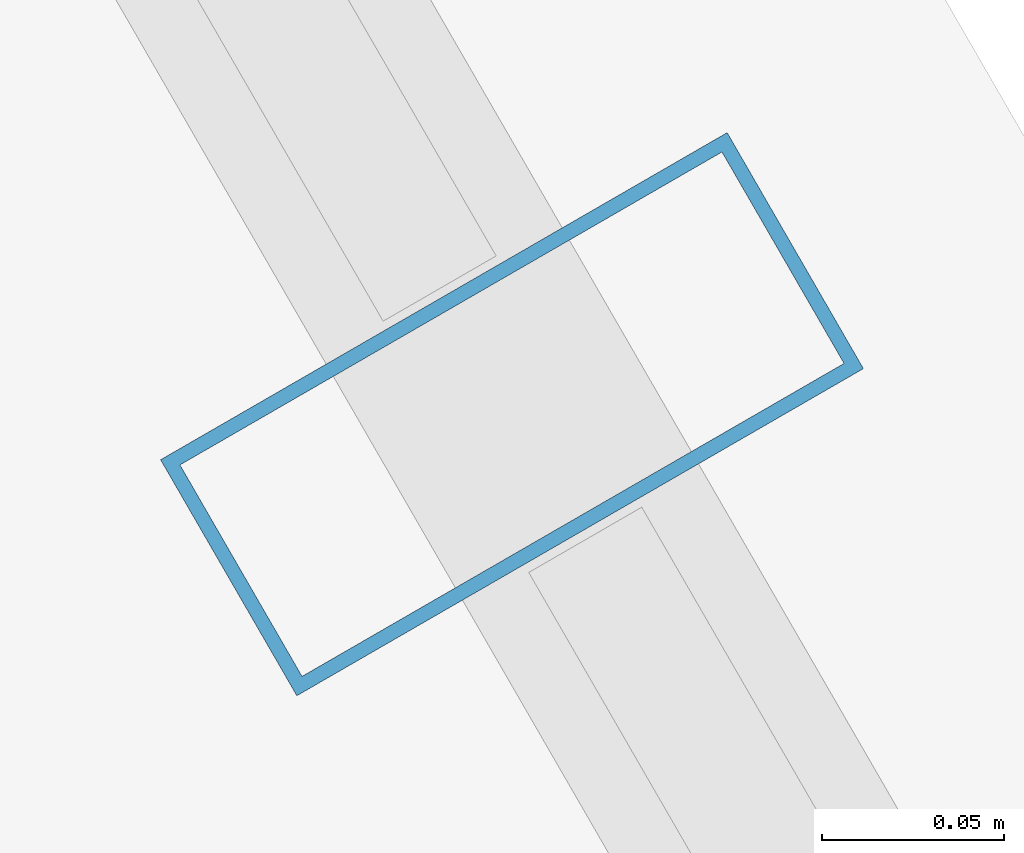
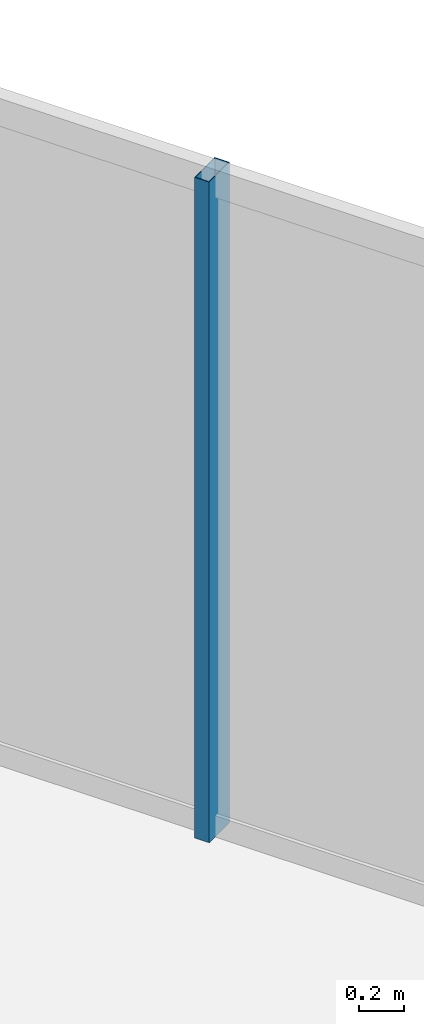
# One storey, part 22 of 32: 1 member, 1 element without a shape of its own.
"""IFC4 building model written with IfcOpenShell, lengths in metres."""

import ifcopenshell
import ifcopenshell.guid

model = None  # the IFC model being written
_history = None  # IfcOwnerHistory: only IFC2X3 demands one
_inside = {}  # id of a spatial element -> (the spatial element, [elements in it])
_under = {}  # id of a project, library or spatial element -> (it, [spatial elements below it])
_declared = {}  # id of a project -> (the project, [libraries it declares])
_typed = {}  # id of a type object -> (the type object, [elements of that type])
_made_of = {}  # id of a material, layer set ... -> (it, [elements and type objects made of it])


def new_model(schema):
    """Start an empty IFC model of exactly this schema.

    Asked for "IFC4X3", IfcOpenShell would pick the latest addendum, in which some entities
    have other attributes; the version numbers below select the first issue.
    IFC2X3 requires an IfcOwnerHistory on every rooted entity: one is made here for all.
    """
    global model, _history
    if schema == "IFC4X3":
        model = ifcopenshell.file(schema_version=(4, 3, 0, 0))
    else:
        model = ifcopenshell.file(schema=schema)
    _inside.clear()
    _under.clear()
    _declared.clear()
    _typed.clear()
    _made_of.clear()
    _history = None
    if model.schema == "IFC2X3":
        org = make("IfcOrganization", Name="unknown")
        user = make(
            "IfcPersonAndOrganization",
            ThePerson=make("IfcPerson", FamilyName="unknown"),
            TheOrganization=org,
        )
        app = make(
            "IfcApplication",
            ApplicationDeveloper=org,
            Version="unknown",
            ApplicationFullName="unknown",
            ApplicationIdentifier="unknown",
        )
        _history = make(
            "IfcOwnerHistory",
            OwningUser=user,
            OwningApplication=app,
            ChangeAction="ADDED",
            CreationDate=0,
        )
    return model


def make(cls, **values):
    """One entity of the class cls with the attributes given. An attribute that is None is left unset."""
    return model.create_entity(
        cls, **{name: value for name, value in values.items() if value is not None}
    )


def rooted(cls, **values):
    """An entity with a GlobalId (a new one), such as an element, a storey or a relation."""
    return make(cls, GlobalId=ifcopenshell.guid.new(), OwnerHistory=_history, **values)


def si_unit(unit_type, name, prefix=None):
    """IfcSIUnit, for example si_unit("LENGTHUNIT", "METRE", prefix="MILLI")."""
    return make("IfcSIUnit", UnitType=unit_type, Prefix=prefix, Name=name)


def assignment(units):
    """IfcUnitAssignment: the units of a project."""
    return None if units is None else make("IfcUnitAssignment", Units=units)


def point(xyz):
    """IfcCartesianPoint."""
    return None if xyz is None else make("IfcCartesianPoint", Coordinates=xyz)


def direction(xyz):
    """IfcDirection."""
    return None if xyz is None else make("IfcDirection", DirectionRatios=xyz)


def frame(location, z_axis=None, x_axis=None):
    """IfcAxis2Placement3D, a coordinate frame: its origin and axes. An axis left out is left unset."""
    return make(
        "IfcAxis2Placement3D",
        Location=point(location),
        Axis=direction(z_axis),
        RefDirection=direction(x_axis),
    )


def frame_2d(location, x_axis=None):
    """IfcAxis2Placement2D, a coordinate frame in the plane: its origin and x axis."""
    return make(
        "IfcAxis2Placement2D", Location=point(location), RefDirection=direction(x_axis)
    )


def origin():
    """The frame at (0, 0, 0) with its axes left unset."""
    return frame((0.0, 0.0, 0.0))


def origin_2d():
    """The frame at (0, 0) in the plane with its x axis left unset."""
    return frame_2d((0.0, 0.0))


def place(relative_to, where):
    """IfcLocalPlacement: puts the frame where relative to a parent placement (None: the world)."""
    return make(
        "IfcLocalPlacement", PlacementRelTo=relative_to, RelativePlacement=where
    )


def context(
    kind, dimensions, precision=None, world=None, true_north=None, identifier=None
):
    """IfcGeometricRepresentationContext, for example the 3D "Model" context."""
    return make(
        "IfcGeometricRepresentationContext",
        ContextIdentifier=identifier,
        ContextType=kind,
        CoordinateSpaceDimension=dimensions,
        Precision=precision,
        WorldCoordinateSystem=world,
        TrueNorth=true_north,
    )


def subcontext(parent, identifier, kind, view, scale=None):
    """IfcGeometricRepresentationSubContext, for example "Body" below "Model"."""
    return make(
        "IfcGeometricRepresentationSubContext",
        ContextIdentifier=identifier,
        ContextType=kind,
        ParentContext=parent,
        TargetScale=scale,
        TargetView=view,
    )


def project(units=None, contexts=None):
    """IfcProject with its units and contexts."""
    return rooted(
        "IfcProject",
        Name="project",
        RepresentationContexts=contexts,
        UnitsInContext=assignment(units),
    )


def spatial(cls, under=None, at=None, **own):
    """A site, building, storey or space (cls), placed at a placement, below another one or the project."""
    s = rooted(cls, ObjectPlacement=at, **own)
    if under is not None:
        _under.setdefault(under.id(), (under, []))[1].append(s)
    return s


def profile(cls, at=None, kind="AREA", **sizes):
    """A parametric profile (cls). Its sizes go by their IFC names, for example OverallWidth=200.0."""
    return make(cls, ProfileType=kind, Position=at, **sizes)


def hollow_rectangle(**sizes):
    """IfcRectangleHollowProfileDef."""
    return profile("IfcRectangleHollowProfileDef", **sizes)


def extrude(swept, where, along, depth):
    """IfcExtrudedAreaSolid: the profile swept, set in the frame where, extruded along a direction by depth."""
    return make(
        "IfcExtrudedAreaSolid",
        SweptArea=swept,
        Position=where,
        ExtrudedDirection=direction(along),
        Depth=depth,
    )


def shape(context_of_items, identifier, shape_type, items):
    """IfcShapeRepresentation: the items that make up one representation, for example the "Body"."""
    return make(
        "IfcShapeRepresentation",
        ContextOfItems=context_of_items,
        RepresentationIdentifier=identifier,
        RepresentationType=shape_type,
        Items=items,
    )


def material(Name=None, Category=None):
    """IfcMaterial."""
    return make("IfcMaterial", Name=Name, Category=Category)


def layer(
    of_material, thickness, ventilated=None, Name=None, Category=None, Priority=None
):
    """IfcMaterialLayer: one layer of a wall or slab, of a material (None: an air gap)."""
    return make(
        "IfcMaterialLayer",
        Material=of_material,
        LayerThickness=thickness,
        IsVentilated=ventilated,
        Name=Name,
        Category=Category,
        Priority=Priority,
    )


def layer_set(layers, Name=None):
    """IfcMaterialLayerSet."""
    return make("IfcMaterialLayerSet", MaterialLayers=layers, LayerSetName=Name)


def material_profile(
    of_material, cross_section, Name=None, Category=None, Priority=None
):
    """IfcMaterialProfile: a cross section and its material."""
    return make(
        "IfcMaterialProfile",
        Name=Name,
        Material=of_material,
        Profile=cross_section,
        Priority=Priority,
        Category=Category,
    )


def profile_set(profiles, Name=None, composite=None):
    """IfcMaterialProfileSet."""
    return make(
        "IfcMaterialProfileSet",
        Name=Name,
        MaterialProfiles=profiles,
        CompositeProfile=composite,
    )


def made_of(thing, what):
    """Note that an element or type object is made of a material, layer set ...; save() writes the relation."""
    if what is not None:
        _made_of.setdefault(what.id(), (what, []))[1].append(thing)
    return thing


def type_object(cls, material=None, **own):
    """A type object (cls), such as IfcWallType, which elements share."""
    return made_of(rooted(cls, **own), material)


def element(
    cls,
    number,
    at=None,
    inside=None,
    cuts=None,
    type_object=None,
    material=None,
    context=None,
    identifier="Body",
    shape_type=None,
    held_by="IfcProductDefinitionShape",
    body=None,
    shapes=None,
    **own,
):
    """One element of the class cls, such as IfcWall. Its Tag is "e" and its number.

    at: its placement. inside: the storey or other place that contains it. cuts: it is an
    opening in that element (IfcRelVoidsElement). A single representation is given by context,
    identifier, shape_type and body (its items); several are given by shapes. held_by: the class
    of the entity that holds the representations. save() writes the other relations.
    """
    e = rooted(cls, Tag="e%d" % number, ObjectPlacement=at, **own)
    if body is not None:
        shapes = [shape(context, identifier, shape_type, body)]
    if shapes is not None:
        e.Representation = make(held_by, Representations=shapes)
    if inside is not None:
        _inside.setdefault(inside.id(), (inside, []))[1].append(e)
    if cuts is not None:
        rooted(
            "IfcRelVoidsElement", RelatingBuildingElement=cuts, RelatedOpeningElement=e
        )
    if type_object is not None:
        _typed.setdefault(type_object.id(), (type_object, []))[1].append(e)
    return made_of(e, material)


def aggregate(whole, parts):
    """IfcRelAggregates: a whole, such as a stair, and the parts it consists of."""
    return rooted("IfcRelAggregates", RelatingObject=whole, RelatedObjects=parts)


def save(model, path):
    """Write the relations noted so far, then the file.

    IfcRelAggregates (storeys below a building ...), IfcRelContainedInSpatialStructure (elements
    in a storey), IfcRelDefinesByType, IfcRelAssociatesMaterial and IfcRelDeclares: one each for
    every whole, place, type object, material and project.
    """
    for whole, parts in _under.values():
        aggregate(whole, parts)
    for where, things in _inside.values():
        rooted(
            "IfcRelContainedInSpatialStructure",
            RelatedElements=things,
            RelatingStructure=where,
        )
    for kind, things in _typed.values():
        rooted("IfcRelDefinesByType", RelatedObjects=things, RelatingType=kind)
    for what, things in _made_of.values():
        rooted("IfcRelAssociatesMaterial", RelatedObjects=things, RelatingMaterial=what)
    for by, libraries in _declared.values():
        rooted("IfcRelDeclares", RelatingContext=by, RelatedDefinitions=libraries)
    model.write(path)


model = new_model("IFC4")

# Units and contexts
model_context = context("Model", 3, precision=1e-05, world=origin(), true_north=direction((0.0, 1.0)))
body_context = subcontext(model_context, "Body", "Model", "MODEL_VIEW")
ifc_project = project(units=[si_unit("LENGTHUNIT", "METRE"), si_unit("AREAUNIT", "SQUARE_METRE"), si_unit("VOLUMEUNIT", "CUBIC_METRE"), si_unit("PLANEANGLEUNIT", "RADIAN"), si_unit("MASSUNIT", "GRAM", prefix="KILO")], contexts=[model_context])

# Site, building, storey
site_placement = place(None, origin())
site = spatial("IfcSite", under=ifc_project, at=site_placement, CompositionType="ELEMENT")
building_placement = place(site_placement, origin())
building = spatial("IfcBuilding", under=site, at=building_placement, Name="Ndaravel Arena Tower", CompositionType="ELEMENT")
storey_placement = place(building_placement, frame((0.0, 0.0, 256.0)))
storey = spatial("IfcBuildingStorey", under=building, at=storey_placement, Name="L62", CompositionType="ELEMENT", Elevation=256.0)

# Curtain wall, member
ifc_material_1 = material(Name="Aluminium", Category="aluminium")
ifc_layer = layer(ifc_material_1, 0.179931640625)
ifc_layer_set = layer_set([ifc_layer], Name="Aluminium")
curtain_wall_type = type_object("IfcCurtainWallType", Name="CW-SYS-03", PredefinedType="NOTDEFINED", material=ifc_layer_set)
curtain_wall_placement = place(storey_placement, origin())
curtain_wall = element("IfcCurtainWall", 1, at=curtain_wall_placement, inside=storey, type_object=curtain_wall_type, Name="L62 Faceted Crystal Curtain Wall CW-L62-E03", PredefinedType="NOTDEFINED")
ifc_material_2 = material(Name="Aluminium", Category="aluminium")
ifc_material_profile = material_profile(ifc_material_2, hollow_rectangle(XDim=0.074951171875, YDim=0.179931640625, WallThickness=0.00390625, at=origin_2d()), Name="CW MULLION 75x180x4")
ifc_profile_set = profile_set([ifc_material_profile], Name="Aluminium")
member_type = type_object("IfcMemberType", Name="MEM-CW-MUL180", PredefinedType="MULLION", material=ifc_profile_set)
member_placement = place(storey_placement, frame((58.215576171875, 21.81298828125, 0.0), z_axis=(0.0, 0.0, 1.0), x_axis=(-0.5, 0.866025403784, 0.0)))
member = element("IfcMember", 2, at=member_placement, type_object=member_type, Name="CW-L62-E03 Mullion 03", PredefinedType="MULLION", context=body_context, shape_type="SweptSolid", body=[
    extrude(hollow_rectangle(XDim=0.074951171875, YDim=0.179931640625, WallThickness=0.00390625, at=origin_2d()), origin(), (0.0, 0.0, 1.0), 3.580078125),
])
aggregate(curtain_wall, [member])

save(model, "model.ifc")
